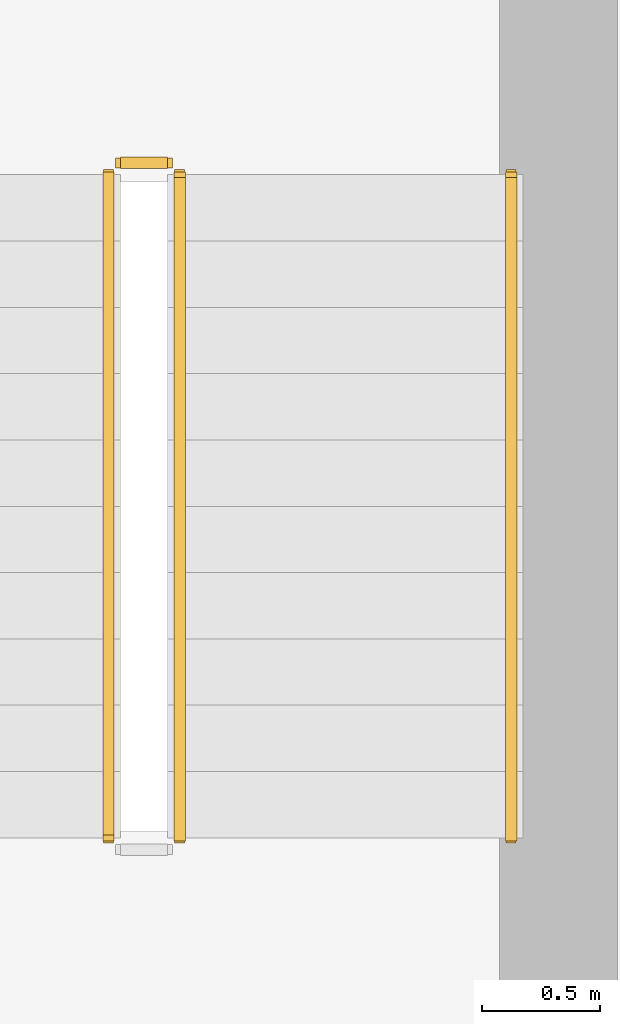
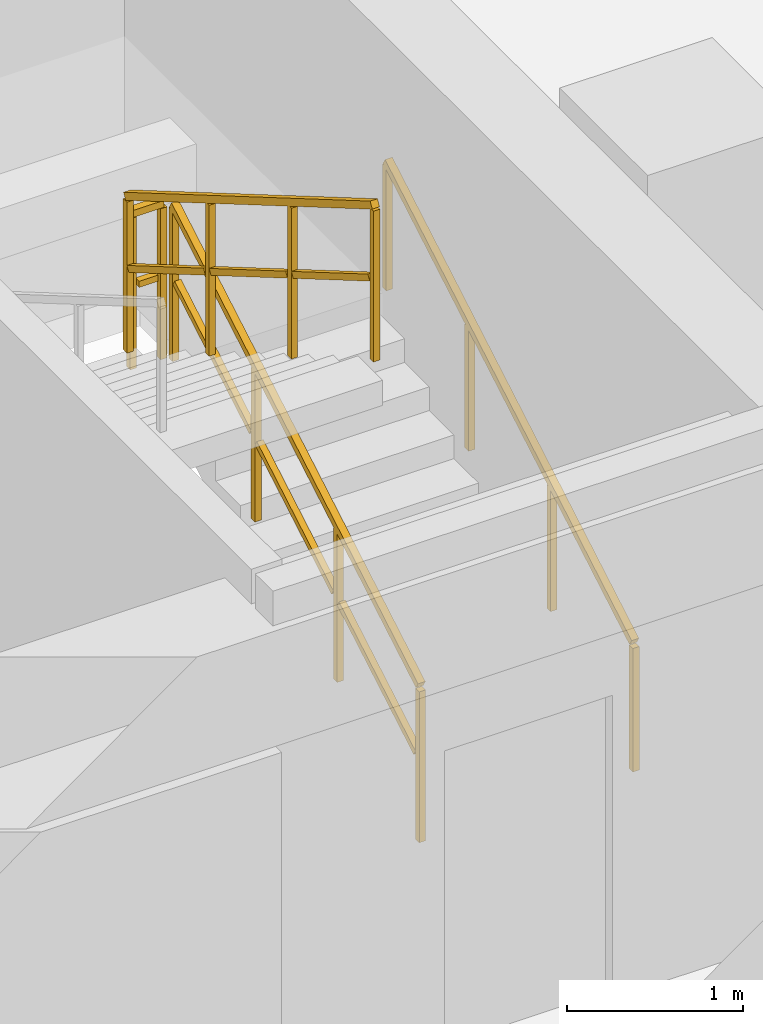
# One storey, part 33 of 33: 4 railings.
"""IFC4 building model written with IfcOpenShell, lengths in metres."""

import ifcopenshell
import ifcopenshell.guid

model = None  # the IFC model being written
_history = None  # IfcOwnerHistory: only IFC2X3 demands one
_inside = {}  # id of a spatial element -> (the spatial element, [elements in it])
_under = {}  # id of a project, library or spatial element -> (it, [spatial elements below it])
_declared = {}  # id of a project -> (the project, [libraries it declares])
_typed = {}  # id of a type object -> (the type object, [elements of that type])
_made_of = {}  # id of a material, layer set ... -> (it, [elements and type objects made of it])


def new_model(schema):
    """Start an empty IFC model of exactly this schema.

    Asked for "IFC4X3", IfcOpenShell would pick the latest addendum, in which some entities
    have other attributes; the version numbers below select the first issue.
    IFC2X3 requires an IfcOwnerHistory on every rooted entity: one is made here for all.
    """
    global model, _history
    if schema == "IFC4X3":
        model = ifcopenshell.file(schema_version=(4, 3, 0, 0))
    else:
        model = ifcopenshell.file(schema=schema)
    _inside.clear()
    _under.clear()
    _declared.clear()
    _typed.clear()
    _made_of.clear()
    _history = None
    if model.schema == "IFC2X3":
        org = make("IfcOrganization", Name="unknown")
        user = make(
            "IfcPersonAndOrganization",
            ThePerson=make("IfcPerson", FamilyName="unknown"),
            TheOrganization=org,
        )
        app = make(
            "IfcApplication",
            ApplicationDeveloper=org,
            Version="unknown",
            ApplicationFullName="unknown",
            ApplicationIdentifier="unknown",
        )
        _history = make(
            "IfcOwnerHistory",
            OwningUser=user,
            OwningApplication=app,
            ChangeAction="ADDED",
            CreationDate=0,
        )
    return model


def make(cls, **values):
    """One entity of the class cls with the attributes given. An attribute that is None is left unset."""
    return model.create_entity(
        cls, **{name: value for name, value in values.items() if value is not None}
    )


def rooted(cls, **values):
    """An entity with a GlobalId (a new one), such as an element, a storey or a relation."""
    return make(cls, GlobalId=ifcopenshell.guid.new(), OwnerHistory=_history, **values)


def si_unit(unit_type, name, prefix=None):
    """IfcSIUnit, for example si_unit("LENGTHUNIT", "METRE", prefix="MILLI")."""
    return make("IfcSIUnit", UnitType=unit_type, Prefix=prefix, Name=name)


def assignment(units):
    """IfcUnitAssignment: the units of a project."""
    return None if units is None else make("IfcUnitAssignment", Units=units)


def point(xyz):
    """IfcCartesianPoint."""
    return None if xyz is None else make("IfcCartesianPoint", Coordinates=xyz)


def direction(xyz):
    """IfcDirection."""
    return None if xyz is None else make("IfcDirection", DirectionRatios=xyz)


def frame(location, z_axis=None, x_axis=None):
    """IfcAxis2Placement3D, a coordinate frame: its origin and axes. An axis left out is left unset."""
    return make(
        "IfcAxis2Placement3D",
        Location=point(location),
        Axis=direction(z_axis),
        RefDirection=direction(x_axis),
    )


def frame_2d(location, x_axis=None):
    """IfcAxis2Placement2D, a coordinate frame in the plane: its origin and x axis."""
    return make(
        "IfcAxis2Placement2D", Location=point(location), RefDirection=direction(x_axis)
    )


def origin():
    """The frame at (0, 0, 0) with its axes left unset."""
    return frame((0.0, 0.0, 0.0))


def origin_2d():
    """The frame at (0, 0) in the plane with its x axis left unset."""
    return frame_2d((0.0, 0.0))


def place(relative_to, where):
    """IfcLocalPlacement: puts the frame where relative to a parent placement (None: the world)."""
    return make(
        "IfcLocalPlacement", PlacementRelTo=relative_to, RelativePlacement=where
    )


def context(
    kind, dimensions, precision=None, world=None, true_north=None, identifier=None
):
    """IfcGeometricRepresentationContext, for example the 3D "Model" context."""
    return make(
        "IfcGeometricRepresentationContext",
        ContextIdentifier=identifier,
        ContextType=kind,
        CoordinateSpaceDimension=dimensions,
        Precision=precision,
        WorldCoordinateSystem=world,
        TrueNorth=true_north,
    )


def subcontext(parent, identifier, kind, view, scale=None):
    """IfcGeometricRepresentationSubContext, for example "Body" below "Model"."""
    return make(
        "IfcGeometricRepresentationSubContext",
        ContextIdentifier=identifier,
        ContextType=kind,
        ParentContext=parent,
        TargetScale=scale,
        TargetView=view,
    )


def project(units=None, contexts=None):
    """IfcProject with its units and contexts."""
    return rooted(
        "IfcProject",
        Name="project",
        RepresentationContexts=contexts,
        UnitsInContext=assignment(units),
    )


def spatial(cls, under=None, at=None, **own):
    """A site, building, storey or space (cls), placed at a placement, below another one or the project."""
    s = rooted(cls, ObjectPlacement=at, **own)
    if under is not None:
        _under.setdefault(under.id(), (under, []))[1].append(s)
    return s


def profile(cls, at=None, kind="AREA", **sizes):
    """A parametric profile (cls). Its sizes go by their IFC names, for example OverallWidth=200.0."""
    return make(cls, ProfileType=kind, Position=at, **sizes)


def rectangle(**sizes):
    """IfcRectangleProfileDef."""
    return profile("IfcRectangleProfileDef", **sizes)


def extrude(swept, where, along, depth):
    """IfcExtrudedAreaSolid: the profile swept, set in the frame where, extruded along a direction by depth."""
    return make(
        "IfcExtrudedAreaSolid",
        SweptArea=swept,
        Position=where,
        ExtrudedDirection=direction(along),
        Depth=depth,
    )


def shape(context_of_items, identifier, shape_type, items):
    """IfcShapeRepresentation: the items that make up one representation, for example the "Body"."""
    return make(
        "IfcShapeRepresentation",
        ContextOfItems=context_of_items,
        RepresentationIdentifier=identifier,
        RepresentationType=shape_type,
        Items=items,
    )


def material(Name=None, Category=None):
    """IfcMaterial."""
    return make("IfcMaterial", Name=Name, Category=Category)


def made_of(thing, what):
    """Note that an element or type object is made of a material, layer set ...; save() writes the relation."""
    if what is not None:
        _made_of.setdefault(what.id(), (what, []))[1].append(thing)
    return thing


def type_object(cls, material=None, **own):
    """A type object (cls), such as IfcWallType, which elements share."""
    return made_of(rooted(cls, **own), material)


def element(
    cls,
    number,
    at=None,
    inside=None,
    cuts=None,
    type_object=None,
    material=None,
    context=None,
    identifier="Body",
    shape_type=None,
    held_by="IfcProductDefinitionShape",
    body=None,
    shapes=None,
    **own,
):
    """One element of the class cls, such as IfcWall. Its Tag is "e" and its number.

    at: its placement. inside: the storey or other place that contains it. cuts: it is an
    opening in that element (IfcRelVoidsElement). A single representation is given by context,
    identifier, shape_type and body (its items); several are given by shapes. held_by: the class
    of the entity that holds the representations. save() writes the other relations.
    """
    e = rooted(cls, Tag="e%d" % number, ObjectPlacement=at, **own)
    if body is not None:
        shapes = [shape(context, identifier, shape_type, body)]
    if shapes is not None:
        e.Representation = make(held_by, Representations=shapes)
    if inside is not None:
        _inside.setdefault(inside.id(), (inside, []))[1].append(e)
    if cuts is not None:
        rooted(
            "IfcRelVoidsElement", RelatingBuildingElement=cuts, RelatedOpeningElement=e
        )
    if type_object is not None:
        _typed.setdefault(type_object.id(), (type_object, []))[1].append(e)
    return made_of(e, material)


def aggregate(whole, parts):
    """IfcRelAggregates: a whole, such as a stair, and the parts it consists of."""
    return rooted("IfcRelAggregates", RelatingObject=whole, RelatedObjects=parts)


def save(model, path):
    """Write the relations noted so far, then the file.

    IfcRelAggregates (storeys below a building ...), IfcRelContainedInSpatialStructure (elements
    in a storey), IfcRelDefinesByType, IfcRelAssociatesMaterial and IfcRelDeclares: one each for
    every whole, place, type object, material and project.
    """
    for whole, parts in _under.values():
        aggregate(whole, parts)
    for where, things in _inside.values():
        rooted(
            "IfcRelContainedInSpatialStructure",
            RelatedElements=things,
            RelatingStructure=where,
        )
    for kind, things in _typed.values():
        rooted("IfcRelDefinesByType", RelatedObjects=things, RelatingType=kind)
    for what, things in _made_of.values():
        rooted("IfcRelAssociatesMaterial", RelatedObjects=things, RelatingMaterial=what)
    for by, libraries in _declared.values():
        rooted("IfcRelDeclares", RelatingContext=by, RelatedDefinitions=libraries)
    model.write(path)


model = new_model("IFC4")

# Units and contexts
model_context = context("Model", 3, precision=1e-05, world=origin(), true_north=direction((0.0, 1.0)))
body_context = subcontext(model_context, "Body", "Model", "MODEL_VIEW")
ifc_project = project(units=[si_unit("LENGTHUNIT", "METRE"), si_unit("AREAUNIT", "SQUARE_METRE"), si_unit("VOLUMEUNIT", "CUBIC_METRE"), si_unit("PLANEANGLEUNIT", "RADIAN"), si_unit("MASSUNIT", "GRAM", prefix="KILO")], contexts=[model_context])

# Site, building, storey
site_placement = place(None, origin())
site = spatial("IfcSite", under=ifc_project, at=site_placement, CompositionType="ELEMENT")
building_placement = place(site_placement, origin())
building = spatial("IfcBuilding", under=site, at=building_placement, Name="Thornwick Lancets Civic Towers", CompositionType="ELEMENT")
storey_placement = place(building_placement, frame((0.0, 0.0, 214.5)))
storey = spatial("IfcBuildingStorey", under=building, at=storey_placement, Name="L57", CompositionType="ELEMENT", Elevation=214.5)

# Railings
ifc_material_1 = material(Name="Brushed stainless steel S355", Category="steel")
railing_type_1 = type_object("IfcRailingType", Name="RAIL_HANDRAIL", PredefinedType="HANDRAIL", material=ifc_material_1)
railing_1_placement = place(storey_placement, frame((100.449951171875, 20.89990234375, 0.16357421875)))
element("IfcRailing", 1, at=railing_1_placement, inside=storey, type_object=railing_type_1, Name="L57 ST-B1 stair handrail 1", PredefinedType="HANDRAIL", context=body_context, shape_type="SweptSolid", body=[
    extrude(rectangle(XDim=0.048095703125, YDim=0.048095703125, at=origin_2d()), frame((0.0, 0.0, 0.8857421875), z_axis=(0.0, 0.863360870873, 0.504586966384), x_axis=(-1.0, 0.0, 0.0)), (0.0, 0.0, 1.0), 3.2431640625),
    extrude(rectangle(XDim=0.0419921875, YDim=0.0419921875, at=origin_2d()), origin(), (0.0, 0.0, 1.0), 0.855712890625),
    extrude(rectangle(XDim=0.0419921875, YDim=0.0419921875, at=origin_2d()), frame((0.0, 0.933349609375, 0.54541015625)), (0.0, 0.0, 1.0), 0.855712890625),
    extrude(rectangle(XDim=0.0419921875, YDim=0.0419921875, at=origin_2d()), frame((0.0, 1.86669921875, 1.091064453125)), (0.0, 0.0, 1.0), 0.855712890625),
    extrude(rectangle(XDim=0.0419921875, YDim=0.0419921875, at=origin_2d()), frame((0.0, 2.800048828125, 1.636474609375)), (0.0, 0.0, 1.0), 0.855712890625),
])
ifc_material_2 = material(Name="Steel S355JR", Category="steel")
railing_type_2 = type_object("IfcRailingType", Name="RAIL_STAIR_GUARD", PredefinedType="GUARDRAIL", material=ifc_material_2)
railing_2_placement = place(storey_placement, frame((99.050048828125, 20.89990234375, 0.16357421875)))
element("IfcRailing", 2, at=railing_2_placement, inside=storey, type_object=railing_type_2, Name="L57 ST-B1 stair guard 1", PredefinedType="GUARDRAIL", context=body_context, shape_type="SweptSolid", body=[
    extrude(rectangle(XDim=0.048095703125, YDim=0.048095703125, at=origin_2d()), frame((0.0, 0.0, 1.076171875), z_axis=(0.0, 0.863360870873, 0.504586966384), x_axis=(-1.0, 0.0, 0.0)), (0.0, 0.0, 1.0), 3.2431640625),
    extrude(rectangle(XDim=0.0419921875, YDim=0.0419921875, at=origin_2d()), frame((0.0, 0.032470703125, 0.591064453125), z_axis=(0.0, 0.863360870873, 0.504586966384), x_axis=(-1.0, 0.0, 0.0)), (0.0, 0.0, 1.0), 1.006103515625),
    extrude(rectangle(XDim=0.0419921875, YDim=0.0419921875, at=origin_2d()), frame((0.0, 0.9658203125, 1.136474609375), z_axis=(0.0, 0.863360870873, 0.504586966384), x_axis=(-1.0, 0.0, 0.0)), (0.0, 0.0, 1.0), 1.006103515625),
    extrude(rectangle(XDim=0.0419921875, YDim=0.0419921875, at=origin_2d()), frame((0.0, 1.899169921875, 1.681884765625), z_axis=(0.0, 0.863360870873, 0.504586966384), x_axis=(-1.0, 0.0, 0.0)), (0.0, 0.0, 1.0), 1.006103515625),
    extrude(rectangle(XDim=0.0419921875, YDim=0.0419921875, at=origin_2d()), origin(), (0.0, 0.0, 1.0), 1.0458984375),
    extrude(rectangle(XDim=0.0419921875, YDim=0.0419921875, at=origin_2d()), frame((0.0, 0.933349609375, 0.54541015625)), (0.0, 0.0, 1.0), 1.0458984375),
    extrude(rectangle(XDim=0.0419921875, YDim=0.0419921875, at=origin_2d()), frame((0.0, 1.86669921875, 1.091064453125)), (0.0, 0.0, 1.0), 1.0458984375),
    extrude(rectangle(XDim=0.0419921875, YDim=0.0419921875, at=origin_2d()), frame((0.0, 2.800048828125, 1.636474609375)), (0.0, 0.0, 1.0), 1.0458984375),
])
railing_3_placement = place(storey_placement, frame((99.0, 23.75, 1.800048828125)))
element("IfcRailing", 3, at=railing_3_placement, inside=storey, type_object=railing_type_2, Name="L57 ST-B1 stair guard 2", PredefinedType="GUARDRAIL", context=body_context, shape_type="SweptSolid", body=[
    extrude(rectangle(XDim=0.048095703125, YDim=0.048095703125, at=origin_2d()), frame((0.0, 0.0, 1.076171875), z_axis=(-1.0, 0.0, 0.0), x_axis=(0.0, -1.0, 0.0)), (0.0, 0.0, 1.0), 0.199951171875),
    extrude(rectangle(XDim=0.0419921875, YDim=0.0419921875, at=origin_2d()), frame((-0.03759765625, 0.0, 0.572021484375), z_axis=(-1.0, 0.0, 0.0), x_axis=(0.0, -1.0, 0.0)), (0.0, 0.0, 1.0), 0.125),
    extrude(rectangle(XDim=0.0419921875, YDim=0.0419921875, at=origin_2d()), origin(), (0.0, 0.0, 1.0), 1.0458984375),
    extrude(rectangle(XDim=0.0419921875, YDim=0.0419921875, at=origin_2d()), frame((-0.199951171875, 0.0, 0.0)), (0.0, 0.0, 1.0), 1.0458984375),
])
railing_4_placement = place(storey_placement, frame((98.75, 23.699951171875, 1.963623046875)))
element("IfcRailing", 4, at=railing_4_placement, inside=storey, type_object=railing_type_2, Name="L57 ST-B1 stair guard 3", PredefinedType="GUARDRAIL", context=body_context, shape_type="SweptSolid", body=[
    extrude(rectangle(XDim=0.048095703125, YDim=0.048095703125, at=origin_2d()), frame((0.0, 0.0, 1.076171875), z_axis=(0.0, -0.863360870873, 0.504586966384), x_axis=(1.0, 0.0, 0.0)), (0.0, 0.0, 1.0), 3.2431640625),
    extrude(rectangle(XDim=0.0419921875, YDim=0.0419921875, at=origin_2d()), frame((0.0, -0.032470703125, 0.591064453125), z_axis=(0.0, -0.863360870873, 0.504586966384), x_axis=(1.0, 0.0, 0.0)), (0.0, 0.0, 1.0), 1.006103515625),
    extrude(rectangle(XDim=0.0419921875, YDim=0.0419921875, at=origin_2d()), frame((0.0, -0.9658203125, 1.136474609375), z_axis=(0.0, -0.863360870873, 0.504586966384), x_axis=(1.0, 0.0, 0.0)), (0.0, 0.0, 1.0), 1.006103515625),
    extrude(rectangle(XDim=0.0419921875, YDim=0.0419921875, at=origin_2d()), frame((0.0, -1.899169921875, 1.681884765625), z_axis=(0.0, -0.863360870873, 0.504586966384), x_axis=(1.0, 0.0, 0.0)), (0.0, 0.0, 1.0), 1.006103515625),
    extrude(rectangle(XDim=0.0419921875, YDim=0.0419921875, at=origin_2d()), origin(), (0.0, 0.0, 1.0), 1.0458984375),
    extrude(rectangle(XDim=0.0419921875, YDim=0.0419921875, at=origin_2d()), frame((0.0, -0.933349609375, 0.54541015625)), (0.0, 0.0, 1.0), 1.0458984375),
    extrude(rectangle(XDim=0.0419921875, YDim=0.0419921875, at=origin_2d()), frame((0.0, -1.86669921875, 1.091064453125)), (0.0, 0.0, 1.0), 1.0458984375),
    extrude(rectangle(XDim=0.0419921875, YDim=0.0419921875, at=origin_2d()), frame((0.0, -2.800048828125, 1.636474609375)), (0.0, 0.0, 1.0), 1.0458984375),
])

save(model, "model.ifc")
